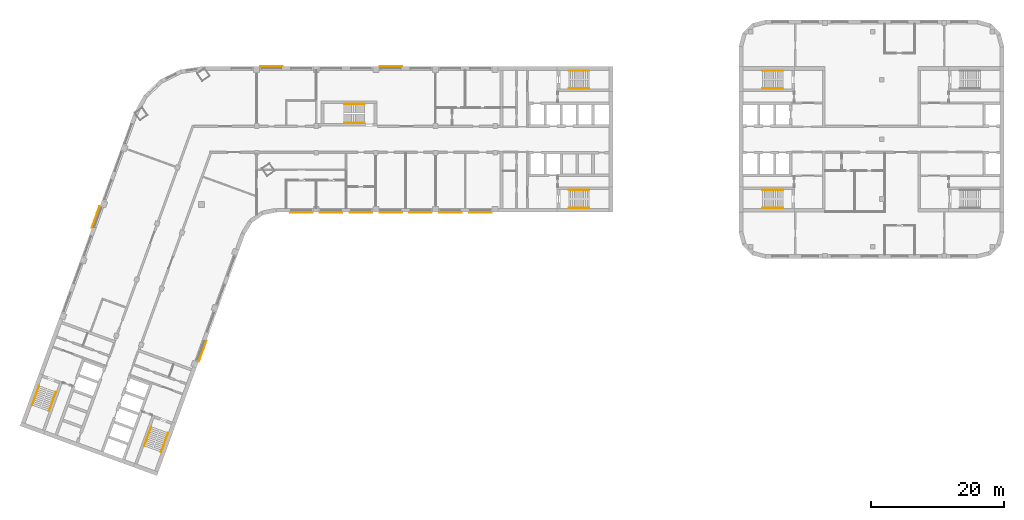
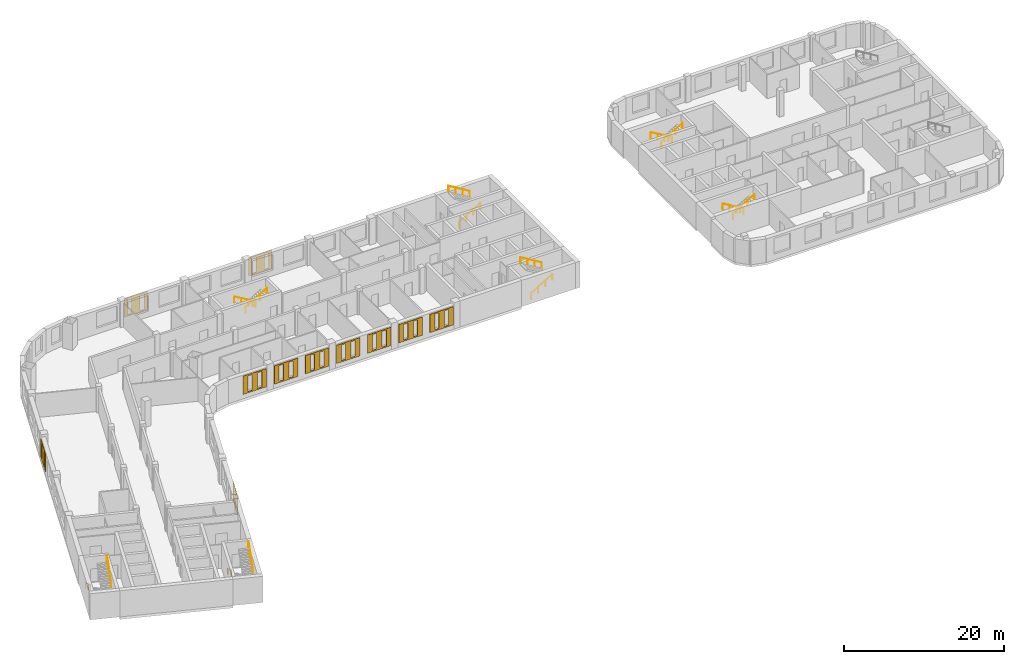
# One storey, part 11 of 12: 14 railings, 11 coverings.
"""IFC4 building model written with IfcOpenShell, lengths in metres."""

import ifcopenshell
import ifcopenshell.guid

model = None  # the IFC model being written
_history = None  # IfcOwnerHistory: only IFC2X3 demands one
_inside = {}  # id of a spatial element -> (the spatial element, [elements in it])
_under = {}  # id of a project, library or spatial element -> (it, [spatial elements below it])
_declared = {}  # id of a project -> (the project, [libraries it declares])
_typed = {}  # id of a type object -> (the type object, [elements of that type])
_made_of = {}  # id of a material, layer set ... -> (it, [elements and type objects made of it])


def new_model(schema):
    """Start an empty IFC model of exactly this schema.

    Asked for "IFC4X3", IfcOpenShell would pick the latest addendum, in which some entities
    have other attributes; the version numbers below select the first issue.
    IFC2X3 requires an IfcOwnerHistory on every rooted entity: one is made here for all.
    """
    global model, _history
    if schema == "IFC4X3":
        model = ifcopenshell.file(schema_version=(4, 3, 0, 0))
    else:
        model = ifcopenshell.file(schema=schema)
    _inside.clear()
    _under.clear()
    _declared.clear()
    _typed.clear()
    _made_of.clear()
    _history = None
    if model.schema == "IFC2X3":
        org = make("IfcOrganization", Name="unknown")
        user = make(
            "IfcPersonAndOrganization",
            ThePerson=make("IfcPerson", FamilyName="unknown"),
            TheOrganization=org,
        )
        app = make(
            "IfcApplication",
            ApplicationDeveloper=org,
            Version="unknown",
            ApplicationFullName="unknown",
            ApplicationIdentifier="unknown",
        )
        _history = make(
            "IfcOwnerHistory",
            OwningUser=user,
            OwningApplication=app,
            ChangeAction="ADDED",
            CreationDate=0,
        )
    return model


def make(cls, **values):
    """One entity of the class cls with the attributes given. An attribute that is None is left unset."""
    return model.create_entity(
        cls, **{name: value for name, value in values.items() if value is not None}
    )


def rooted(cls, **values):
    """An entity with a GlobalId (a new one), such as an element, a storey or a relation."""
    return make(cls, GlobalId=ifcopenshell.guid.new(), OwnerHistory=_history, **values)


def si_unit(unit_type, name, prefix=None):
    """IfcSIUnit, for example si_unit("LENGTHUNIT", "METRE", prefix="MILLI")."""
    return make("IfcSIUnit", UnitType=unit_type, Prefix=prefix, Name=name)


def assignment(units):
    """IfcUnitAssignment: the units of a project."""
    return None if units is None else make("IfcUnitAssignment", Units=units)


def point(xyz):
    """IfcCartesianPoint."""
    return None if xyz is None else make("IfcCartesianPoint", Coordinates=xyz)


def direction(xyz):
    """IfcDirection."""
    return None if xyz is None else make("IfcDirection", DirectionRatios=xyz)


def frame(location, z_axis=None, x_axis=None):
    """IfcAxis2Placement3D, a coordinate frame: its origin and axes. An axis left out is left unset."""
    return make(
        "IfcAxis2Placement3D",
        Location=point(location),
        Axis=direction(z_axis),
        RefDirection=direction(x_axis),
    )


def frame_2d(location, x_axis=None):
    """IfcAxis2Placement2D, a coordinate frame in the plane: its origin and x axis."""
    return make(
        "IfcAxis2Placement2D", Location=point(location), RefDirection=direction(x_axis)
    )


def origin():
    """The frame at (0, 0, 0) with its axes left unset."""
    return frame((0.0, 0.0, 0.0))


def origin_2d():
    """The frame at (0, 0) in the plane with its x axis left unset."""
    return frame_2d((0.0, 0.0))


def place(relative_to, where):
    """IfcLocalPlacement: puts the frame where relative to a parent placement (None: the world)."""
    return make(
        "IfcLocalPlacement", PlacementRelTo=relative_to, RelativePlacement=where
    )


def context(
    kind, dimensions, precision=None, world=None, true_north=None, identifier=None
):
    """IfcGeometricRepresentationContext, for example the 3D "Model" context."""
    return make(
        "IfcGeometricRepresentationContext",
        ContextIdentifier=identifier,
        ContextType=kind,
        CoordinateSpaceDimension=dimensions,
        Precision=precision,
        WorldCoordinateSystem=world,
        TrueNorth=true_north,
    )


def subcontext(parent, identifier, kind, view, scale=None):
    """IfcGeometricRepresentationSubContext, for example "Body" below "Model"."""
    return make(
        "IfcGeometricRepresentationSubContext",
        ContextIdentifier=identifier,
        ContextType=kind,
        ParentContext=parent,
        TargetScale=scale,
        TargetView=view,
    )


def project(units=None, contexts=None):
    """IfcProject with its units and contexts."""
    return rooted(
        "IfcProject",
        Name="project",
        RepresentationContexts=contexts,
        UnitsInContext=assignment(units),
    )


def spatial(cls, under=None, at=None, **own):
    """A site, building, storey or space (cls), placed at a placement, below another one or the project."""
    s = rooted(cls, ObjectPlacement=at, **own)
    if under is not None:
        _under.setdefault(under.id(), (under, []))[1].append(s)
    return s


def polyline(points):
    """IfcPolyline through the points."""
    return make("IfcPolyline", Points=[point(p) for p in points])


def profile(cls, at=None, kind="AREA", **sizes):
    """A parametric profile (cls). Its sizes go by their IFC names, for example OverallWidth=200.0."""
    return make(cls, ProfileType=kind, Position=at, **sizes)


def circle(**sizes):
    """IfcCircleProfileDef."""
    return profile("IfcCircleProfileDef", **sizes)


def outline(outer, holes=None, kind="AREA"):
    """IfcArbitraryClosedProfileDef: a profile drawn as a closed curve; with holes, ...WithVoids."""
    if holes is None:
        return make("IfcArbitraryClosedProfileDef", ProfileType=kind, OuterCurve=outer)
    return make(
        "IfcArbitraryProfileDefWithVoids",
        ProfileType=kind,
        OuterCurve=outer,
        InnerCurves=holes,
    )


def extrude(swept, where, along, depth):
    """IfcExtrudedAreaSolid: the profile swept, set in the frame where, extruded along a direction by depth."""
    return make(
        "IfcExtrudedAreaSolid",
        SweptArea=swept,
        Position=where,
        ExtrudedDirection=direction(along),
        Depth=depth,
    )


def shape(context_of_items, identifier, shape_type, items):
    """IfcShapeRepresentation: the items that make up one representation, for example the "Body"."""
    return make(
        "IfcShapeRepresentation",
        ContextOfItems=context_of_items,
        RepresentationIdentifier=identifier,
        RepresentationType=shape_type,
        Items=items,
    )


def material(Name=None, Category=None):
    """IfcMaterial."""
    return make("IfcMaterial", Name=Name, Category=Category)


def material_profile(
    of_material, cross_section, Name=None, Category=None, Priority=None
):
    """IfcMaterialProfile: a cross section and its material."""
    return make(
        "IfcMaterialProfile",
        Name=Name,
        Material=of_material,
        Profile=cross_section,
        Priority=Priority,
        Category=Category,
    )


def profile_set(profiles, Name=None, composite=None):
    """IfcMaterialProfileSet."""
    return make(
        "IfcMaterialProfileSet",
        Name=Name,
        MaterialProfiles=profiles,
        CompositeProfile=composite,
    )


def made_of(thing, what):
    """Note that an element or type object is made of a material, layer set ...; save() writes the relation."""
    if what is not None:
        _made_of.setdefault(what.id(), (what, []))[1].append(thing)
    return thing


def type_object(cls, material=None, **own):
    """A type object (cls), such as IfcWallType, which elements share."""
    return made_of(rooted(cls, **own), material)


def element(
    cls,
    number,
    at=None,
    inside=None,
    cuts=None,
    type_object=None,
    material=None,
    context=None,
    identifier="Body",
    shape_type=None,
    held_by="IfcProductDefinitionShape",
    body=None,
    shapes=None,
    **own,
):
    """One element of the class cls, such as IfcWall. Its Tag is "e" and its number.

    at: its placement. inside: the storey or other place that contains it. cuts: it is an
    opening in that element (IfcRelVoidsElement). A single representation is given by context,
    identifier, shape_type and body (its items); several are given by shapes. held_by: the class
    of the entity that holds the representations. save() writes the other relations.
    """
    e = rooted(cls, Tag="e%d" % number, ObjectPlacement=at, **own)
    if body is not None:
        shapes = [shape(context, identifier, shape_type, body)]
    if shapes is not None:
        e.Representation = make(held_by, Representations=shapes)
    if inside is not None:
        _inside.setdefault(inside.id(), (inside, []))[1].append(e)
    if cuts is not None:
        rooted(
            "IfcRelVoidsElement", RelatingBuildingElement=cuts, RelatedOpeningElement=e
        )
    if type_object is not None:
        _typed.setdefault(type_object.id(), (type_object, []))[1].append(e)
    return made_of(e, material)


def aggregate(whole, parts):
    """IfcRelAggregates: a whole, such as a stair, and the parts it consists of."""
    return rooted("IfcRelAggregates", RelatingObject=whole, RelatedObjects=parts)


def save(model, path):
    """Write the relations noted so far, then the file.

    IfcRelAggregates (storeys below a building ...), IfcRelContainedInSpatialStructure (elements
    in a storey), IfcRelDefinesByType, IfcRelAssociatesMaterial and IfcRelDeclares: one each for
    every whole, place, type object, material and project.
    """
    for whole, parts in _under.values():
        aggregate(whole, parts)
    for where, things in _inside.values():
        rooted(
            "IfcRelContainedInSpatialStructure",
            RelatedElements=things,
            RelatingStructure=where,
        )
    for kind, things in _typed.values():
        rooted("IfcRelDefinesByType", RelatedObjects=things, RelatingType=kind)
    for what, things in _made_of.values():
        rooted("IfcRelAssociatesMaterial", RelatedObjects=things, RelatingMaterial=what)
    for by, libraries in _declared.values():
        rooted("IfcRelDeclares", RelatingContext=by, RelatedDefinitions=libraries)
    model.write(path)


model = new_model("IFC4")

# Units and contexts
model_context = context("Model", 3, precision=1e-05, world=origin(), true_north=direction((0.0, 1.0)))
body_context = subcontext(model_context, "Body", "Model", "MODEL_VIEW")
ifc_project = project(units=[si_unit("LENGTHUNIT", "METRE"), si_unit("AREAUNIT", "SQUARE_METRE"), si_unit("VOLUMEUNIT", "CUBIC_METRE"), si_unit("PLANEANGLEUNIT", "RADIAN"), si_unit("MASSUNIT", "GRAM", prefix="KILO")], contexts=[model_context])

# Site, building, storey
site_placement = place(None, origin())
site = spatial("IfcSite", under=ifc_project, at=site_placement, CompositionType="ELEMENT")
building_placement = place(site_placement, origin())
building = spatial("IfcBuilding", under=site, at=building_placement, Name="Skarvind Civic Tower", CompositionType="ELEMENT")
storey_placement = place(building_placement, frame((0.0, 0.0, 71.5)))
storey = spatial("IfcBuildingStorey", under=building, at=storey_placement, Name="L16", CompositionType="ELEMENT", Elevation=71.5)

# Railings
ifc_material_1 = material(Name="Painted steel handrail", Category="steel")
railing_type = type_object("IfcRailingType", Name="Stair handrail 900", PredefinedType="HANDRAIL", material=ifc_material_1)
railing_1_placement = place(storey_placement, frame((101.35009765625, 135.64990234375, 0.166748046875)))
element("IfcRailing", 1, at=railing_1_placement, inside=storey, type_object=railing_type, Name="Stair handrail", PredefinedType="HANDRAIL", context=body_context, shape_type="SweptSolid", body=[
    extrude(circle(Radius=0.02392578125, at=origin_2d()), frame((0.0, 0.0, 0.8759765625), z_axis=(0.859290745958, 0.0, 0.51148745235), x_axis=(0.0, 1.0, 0.0)), (0.0, 0.0, 1.0), 3.584228515625),
    extrude(circle(Radius=0.02099609375, at=origin_2d()), origin(), (0.0, 0.0, 1.0), 0.851806640625),
    extrude(circle(Radius=0.02099609375, at=origin_2d()), frame((1.026611328125, 0.0, 0.611083984375)), (0.0, 0.0, 1.0), 0.851806640625),
    extrude(circle(Radius=0.02099609375, at=origin_2d()), frame((2.05322265625, 0.0, 1.22216796875)), (0.0, 0.0, 1.0), 0.851806640625),
    extrude(circle(Radius=0.02099609375, at=origin_2d()), frame((3.079833984375, 0.0, 1.833251953125)), (0.0, 0.0, 1.0), 0.851806640625),
])
railing_2_placement = place(storey_placement, frame((104.429931640625, 138.35009765625, 2.166748046875)))
element("IfcRailing", 2, at=railing_2_placement, inside=storey, type_object=railing_type, Name="Stair handrail", PredefinedType="HANDRAIL", context=body_context, shape_type="SweptSolid", body=[
    extrude(circle(Radius=0.02392578125, at=origin_2d()), frame((0.0, 0.0, 0.8759765625), z_axis=(-0.859290745958, 0.0, 0.51148745235), x_axis=(0.0, -1.0, 0.0)), (0.0, 0.0, 1.0), 3.584228515625),
    extrude(circle(Radius=0.02099609375, at=origin_2d()), origin(), (0.0, 0.0, 1.0), 0.851806640625),
    extrude(circle(Radius=0.02099609375, at=origin_2d()), frame((-1.026611328125, 0.0, 0.611083984375)), (0.0, 0.0, 1.0), 0.851806640625),
    extrude(circle(Radius=0.02099609375, at=origin_2d()), frame((-2.05322265625, 0.0, 1.22216796875)), (0.0, 0.0, 1.0), 0.851806640625),
    extrude(circle(Radius=0.02099609375, at=origin_2d()), frame((-3.079833984375, 0.0, 1.833251953125)), (0.0, 0.0, 1.0), 0.851806640625),
])
railing_3_placement = place(storey_placement, frame((101.35009765625, 117.64990234375, 0.166748046875)))
element("IfcRailing", 3, at=railing_3_placement, inside=storey, type_object=railing_type, Name="Stair handrail", PredefinedType="HANDRAIL", context=body_context, shape_type="SweptSolid", body=[
    extrude(circle(Radius=0.02392578125, at=origin_2d()), frame((0.0, 0.0, 0.8759765625), z_axis=(0.859290745958, 0.0, 0.51148745235), x_axis=(0.0, 1.0, 0.0)), (0.0, 0.0, 1.0), 3.584228515625),
    extrude(circle(Radius=0.02099609375, at=origin_2d()), origin(), (0.0, 0.0, 1.0), 0.851806640625),
    extrude(circle(Radius=0.02099609375, at=origin_2d()), frame((1.026611328125, 0.0, 0.611083984375)), (0.0, 0.0, 1.0), 0.851806640625),
    extrude(circle(Radius=0.02099609375, at=origin_2d()), frame((2.05322265625, 0.0, 1.22216796875)), (0.0, 0.0, 1.0), 0.851806640625),
    extrude(circle(Radius=0.02099609375, at=origin_2d()), frame((3.079833984375, 0.0, 1.833251953125)), (0.0, 0.0, 1.0), 0.851806640625),
])
railing_4_placement = place(storey_placement, frame((104.429931640625, 120.35009765625, 2.166748046875)))
element("IfcRailing", 4, at=railing_4_placement, inside=storey, type_object=railing_type, Name="Stair handrail", PredefinedType="HANDRAIL", context=body_context, shape_type="SweptSolid", body=[
    extrude(circle(Radius=0.02392578125, at=origin_2d()), frame((0.0, 0.0, 0.8759765625), z_axis=(-0.859290745958, 0.0, 0.51148745235), x_axis=(0.0, -1.0, 0.0)), (0.0, 0.0, 1.0), 3.584228515625),
    extrude(circle(Radius=0.02099609375, at=origin_2d()), origin(), (0.0, 0.0, 1.0), 0.851806640625),
    extrude(circle(Radius=0.02099609375, at=origin_2d()), frame((-1.026611328125, 0.0, 0.611083984375)), (0.0, 0.0, 1.0), 0.851806640625),
    extrude(circle(Radius=0.02099609375, at=origin_2d()), frame((-2.05322265625, 0.0, 1.22216796875)), (0.0, 0.0, 1.0), 0.851806640625),
    extrude(circle(Radius=0.02099609375, at=origin_2d()), frame((-3.079833984375, 0.0, 1.833251953125)), (0.0, 0.0, 1.0), 0.851806640625),
])
railing_5_placement = place(storey_placement, frame((38.362060546875, 84.64794921875, 0.166748046875)))
element("IfcRailing", 5, at=railing_5_placement, inside=storey, type_object=railing_type, Name="Stair handrail", PredefinedType="HANDRAIL", context=body_context, shape_type="SweptSolid", body=[
    extrude(circle(Radius=0.02392578125, at=origin_2d()), frame((0.0, 0.0, 0.8759765625), z_axis=(-0.293908055923, -0.807480881337, 0.511461319103), x_axis=(0.939689235759, -0.342029443467, 0.0)), (0.0, 0.0, 1.0), 3.584228515625),
    extrude(circle(Radius=0.02099609375, at=origin_2d()), origin(), (0.0, 0.0, 1.0), 0.851806640625),
    extrude(circle(Radius=0.02099609375, at=origin_2d()), frame((-0.35107421875, -0.96484375, 0.611083984375)), (0.0, 0.0, 1.0), 0.851806640625),
    extrude(circle(Radius=0.02099609375, at=origin_2d()), frame((-0.702392578125, -1.929443359375, 1.22216796875)), (0.0, 0.0, 1.0), 0.851806640625),
    extrude(circle(Radius=0.02099609375, at=origin_2d()), frame((-1.053466796875, -2.894287109375, 1.833251953125)), (0.0, 0.0, 1.0), 0.851806640625),
])
railing_6_placement = place(storey_placement, frame((39.845703125, 80.830078125, 2.166748046875)))
element("IfcRailing", 6, at=railing_6_placement, inside=storey, type_object=railing_type, Name="Stair handrail", PredefinedType="HANDRAIL", context=body_context, shape_type="SweptSolid", body=[
    extrude(circle(Radius=0.02392578125, at=origin_2d()), frame((0.0, 0.0, 0.8759765625), z_axis=(0.293908055923, 0.807480881337, 0.511461319103), x_axis=(-0.939689235759, 0.342029443467, 0.0)), (0.0, 0.0, 1.0), 3.584228515625),
    extrude(circle(Radius=0.02099609375, at=origin_2d()), origin(), (0.0, 0.0, 1.0), 0.851806640625),
    extrude(circle(Radius=0.02099609375, at=origin_2d()), frame((0.35107421875, 0.96484375, 0.611083984375)), (0.0, 0.0, 1.0), 0.851806640625),
    extrude(circle(Radius=0.02099609375, at=origin_2d()), frame((0.702392578125, 1.929443359375, 1.22216796875)), (0.0, 0.0, 1.0), 0.851806640625),
    extrude(circle(Radius=0.02099609375, at=origin_2d()), frame((1.053466796875, 2.894287109375, 1.833251953125)), (0.0, 0.0, 1.0), 0.851806640625),
])
railing_7_placement = place(storey_placement, frame((21.447509765625, 90.80419921875, 0.166748046875)))
element("IfcRailing", 7, at=railing_7_placement, inside=storey, type_object=railing_type, Name="Stair handrail", PredefinedType="HANDRAIL", context=body_context, shape_type="SweptSolid", body=[
    extrude(circle(Radius=0.02392578125, at=origin_2d()), frame((0.0, 0.0, 0.8759765625), z_axis=(-0.293845824691, -0.807497044902, 0.511471557163), x_axis=(0.939714709796, -0.34195944817, 0.0)), (0.0, 0.0, 1.0), 3.584228515625),
    extrude(circle(Radius=0.02099609375, at=origin_2d()), origin(), (0.0, 0.0, 1.0), 0.851806640625),
    extrude(circle(Radius=0.02099609375, at=origin_2d()), frame((-0.35107421875, -0.96484375, 0.611083984375)), (0.0, 0.0, 1.0), 0.851806640625),
    extrude(circle(Radius=0.02099609375, at=origin_2d()), frame((-0.7021484375, -1.929443359375, 1.22216796875)), (0.0, 0.0, 1.0), 0.851806640625),
    extrude(circle(Radius=0.02099609375, at=origin_2d()), frame((-1.05322265625, -2.894287109375, 1.833251953125)), (0.0, 0.0, 1.0), 0.851806640625),
])
railing_8_placement = place(storey_placement, frame((22.931396484375, 86.986572265625, 2.166748046875)))
element("IfcRailing", 8, at=railing_8_placement, inside=storey, type_object=railing_type, Name="Stair handrail", PredefinedType="HANDRAIL", context=body_context, shape_type="SweptSolid", body=[
    extrude(circle(Radius=0.02392578125, at=origin_2d()), frame((0.0, 0.0, 0.8759765625), z_axis=(0.293908055923, 0.807480881337, 0.511461319103), x_axis=(-0.939689235759, 0.342029443467, 0.0)), (0.0, 0.0, 1.0), 3.584228515625),
    extrude(circle(Radius=0.02099609375, at=origin_2d()), origin(), (0.0, 0.0, 1.0), 0.851806640625),
    extrude(circle(Radius=0.02099609375, at=origin_2d()), frame((0.35107421875, 0.96484375, 0.611083984375)), (0.0, 0.0, 1.0), 0.851806640625),
    extrude(circle(Radius=0.02099609375, at=origin_2d()), frame((0.702392578125, 1.929443359375, 1.22216796875)), (0.0, 0.0, 1.0), 0.851806640625),
    extrude(circle(Radius=0.02099609375, at=origin_2d()), frame((1.053466796875, 2.894287109375, 1.833251953125)), (0.0, 0.0, 1.0), 0.851806640625),
])
railing_9_placement = place(storey_placement, frame((133.64990234375, 120.35009765625, 0.166748046875)))
element("IfcRailing", 9, at=railing_9_placement, inside=storey, type_object=railing_type, Name="Stair handrail", PredefinedType="HANDRAIL", context=body_context, shape_type="SweptSolid", body=[
    extrude(circle(Radius=0.02392578125, at=origin_2d()), frame((0.0, 0.0, 0.8759765625), z_axis=(-0.859290745958, 0.0, 0.51148745235), x_axis=(0.0, -1.0, 0.0)), (0.0, 0.0, 1.0), 3.584228515625),
    extrude(circle(Radius=0.02099609375, at=origin_2d()), origin(), (0.0, 0.0, 1.0), 0.851806640625),
    extrude(circle(Radius=0.02099609375, at=origin_2d()), frame((-1.026611328125, 0.0, 0.611083984375)), (0.0, 0.0, 1.0), 0.851806640625),
    extrude(circle(Radius=0.02099609375, at=origin_2d()), frame((-2.05322265625, 0.0, 1.22216796875)), (0.0, 0.0, 1.0), 0.851806640625),
    extrude(circle(Radius=0.02099609375, at=origin_2d()), frame((-3.079833984375, 0.0, 1.833251953125)), (0.0, 0.0, 1.0), 0.851806640625),
])
railing_10_placement = place(storey_placement, frame((130.570068359375, 117.64990234375, 2.166748046875)))
element("IfcRailing", 10, at=railing_10_placement, inside=storey, type_object=railing_type, Name="Stair handrail", PredefinedType="HANDRAIL", context=body_context, shape_type="SweptSolid", body=[
    extrude(circle(Radius=0.02392578125, at=origin_2d()), frame((0.0, 0.0, 0.8759765625), z_axis=(0.859290745958, 0.0, 0.51148745235), x_axis=(0.0, 1.0, 0.0)), (0.0, 0.0, 1.0), 3.584228515625),
    extrude(circle(Radius=0.02099609375, at=origin_2d()), origin(), (0.0, 0.0, 1.0), 0.851806640625),
    extrude(circle(Radius=0.02099609375, at=origin_2d()), frame((1.026611328125, 0.0, 0.611083984375)), (0.0, 0.0, 1.0), 0.851806640625),
    extrude(circle(Radius=0.02099609375, at=origin_2d()), frame((2.05322265625, 0.0, 1.22216796875)), (0.0, 0.0, 1.0), 0.851806640625),
    extrude(circle(Radius=0.02099609375, at=origin_2d()), frame((3.079833984375, 0.0, 1.833251953125)), (0.0, 0.0, 1.0), 0.851806640625),
])
railing_11_placement = place(storey_placement, frame((133.64990234375, 138.35009765625, 0.166748046875)))
element("IfcRailing", 11, at=railing_11_placement, inside=storey, type_object=railing_type, Name="Stair handrail", PredefinedType="HANDRAIL", context=body_context, shape_type="SweptSolid", body=[
    extrude(circle(Radius=0.02392578125, at=origin_2d()), frame((0.0, 0.0, 0.8759765625), z_axis=(-0.859290745958, 0.0, 0.51148745235), x_axis=(0.0, -1.0, 0.0)), (0.0, 0.0, 1.0), 3.584228515625),
    extrude(circle(Radius=0.02099609375, at=origin_2d()), origin(), (0.0, 0.0, 1.0), 0.851806640625),
    extrude(circle(Radius=0.02099609375, at=origin_2d()), frame((-1.026611328125, 0.0, 0.611083984375)), (0.0, 0.0, 1.0), 0.851806640625),
    extrude(circle(Radius=0.02099609375, at=origin_2d()), frame((-2.05322265625, 0.0, 1.22216796875)), (0.0, 0.0, 1.0), 0.851806640625),
    extrude(circle(Radius=0.02099609375, at=origin_2d()), frame((-3.079833984375, 0.0, 1.833251953125)), (0.0, 0.0, 1.0), 0.851806640625),
])
railing_12_placement = place(storey_placement, frame((130.570068359375, 135.64990234375, 2.166748046875)))
element("IfcRailing", 12, at=railing_12_placement, inside=storey, type_object=railing_type, Name="Stair handrail", PredefinedType="HANDRAIL", context=body_context, shape_type="SweptSolid", body=[
    extrude(circle(Radius=0.02392578125, at=origin_2d()), frame((0.0, 0.0, 0.8759765625), z_axis=(0.859290745958, 0.0, 0.51148745235), x_axis=(0.0, 1.0, 0.0)), (0.0, 0.0, 1.0), 3.584228515625),
    extrude(circle(Radius=0.02099609375, at=origin_2d()), origin(), (0.0, 0.0, 1.0), 0.851806640625),
    extrude(circle(Radius=0.02099609375, at=origin_2d()), frame((1.026611328125, 0.0, 0.611083984375)), (0.0, 0.0, 1.0), 0.851806640625),
    extrude(circle(Radius=0.02099609375, at=origin_2d()), frame((2.05322265625, 0.0, 1.22216796875)), (0.0, 0.0, 1.0), 0.851806640625),
    extrude(circle(Radius=0.02099609375, at=origin_2d()), frame((3.079833984375, 0.0, 1.833251953125)), (0.0, 0.0, 1.0), 0.851806640625),
])
railing_13_placement = place(storey_placement, frame((70.550048828125, 133.35009765625, 0.166748046875)))
element("IfcRailing", 13, at=railing_13_placement, inside=storey, type_object=railing_type, Name="Stair handrail", PredefinedType="HANDRAIL", context=body_context, shape_type="SweptSolid", body=[
    extrude(circle(Radius=0.02392578125, at=origin_2d()), frame((0.0, 0.0, 0.8759765625), z_axis=(-0.859308565015, 0.0, 0.511457515432), x_axis=(0.0, -1.0, 0.0)), (0.0, 0.0, 1.0), 3.58447265625),
    extrude(circle(Radius=0.02099609375, at=origin_2d()), origin(), (0.0, 0.0, 1.0), 0.851806640625),
    extrude(circle(Radius=0.02099609375, at=origin_2d()), frame((-1.026611328125, 0.0, 0.611083984375)), (0.0, 0.0, 1.0), 0.851806640625),
    extrude(circle(Radius=0.02099609375, at=origin_2d()), frame((-2.053466796875, 0.0, 1.22216796875)), (0.0, 0.0, 1.0), 0.851806640625),
    extrude(circle(Radius=0.02099609375, at=origin_2d()), frame((-3.080078125, 0.0, 1.833251953125)), (0.0, 0.0, 1.0), 0.851806640625),
])
railing_14_placement = place(storey_placement, frame((67.469970703125, 130.449951171875, 2.166748046875)))
element("IfcRailing", 14, at=railing_14_placement, inside=storey, type_object=railing_type, Name="Stair handrail", PredefinedType="HANDRAIL", context=body_context, shape_type="SweptSolid", body=[
    extrude(circle(Radius=0.02392578125, at=origin_2d()), frame((0.0, 0.0, 0.8759765625), z_axis=(0.859308565015, 0.0, 0.511457515432), x_axis=(0.0, 1.0, 0.0)), (0.0, 0.0, 1.0), 3.58447265625),
    extrude(circle(Radius=0.02099609375, at=origin_2d()), origin(), (0.0, 0.0, 1.0), 0.851806640625),
    extrude(circle(Radius=0.02099609375, at=origin_2d()), frame((1.026611328125, 0.0, 0.611083984375)), (0.0, 0.0, 1.0), 0.851806640625),
    extrude(circle(Radius=0.02099609375, at=origin_2d()), frame((2.053466796875, 0.0, 1.22216796875)), (0.0, 0.0, 1.0), 0.851806640625),
    extrude(circle(Radius=0.02099609375, at=origin_2d()), frame((3.080078125, 0.0, 1.833251953125)), (0.0, 0.0, 1.0), 0.851806640625),
])

# Coverings
ifc_material_2 = material(Name="Terracotta", Category="masonry")
ifc_material_profile_1 = material_profile(ifc_material_2, outline(polyline([(-1.699951171875, -1.39990234375), (1.699951171875, -1.39990234375), (1.699951171875, 1.39990234375), (-1.699951171875, 1.39990234375), (-1.699951171875, -1.39990234375)]), holes=[polyline([(-1.0, -1.18994140625), (-0.39990234375, -1.18994140625), (-0.39990234375, 1.18994140625), (-1.0, 1.18994140625), (-1.0, -1.18994140625)]), polyline([(0.39990234375, -1.18994140625), (1.0, -1.18994140625), (1.0, 1.18994140625), (0.39990234375, 1.18994140625), (0.39990234375, -1.18994140625)])]), Name="TERRACOTTA SCREEN 3400 x 2800, SLIT PITCH 1400")
ifc_profile_set_1 = profile_set([ifc_material_profile_1], Name="Terracotta")
covering_type_1 = type_object("IfcCoveringType", Name="TERRACOTTA SCREEN 3400 x 2800, SLIT PITCH 1400", PredefinedType="CLADDING", material=ifc_profile_set_1)
for number, where, z_axis, x_axis, name in (
    (15, (88.0, 117.0, 2.10009765625), (0.0, -1.0, 0.0), (1.0, 0.0, 0.0), "TERRACOTTA SCREEN"),
    (16, (83.5, 117.0, 2.10009765625), (0.0, -1.0, 0.0), (1.0, 0.0, 0.0), "TERRACOTTA SCREEN"),
    (17, (79.0, 117.0, 2.10009765625), (0.0, -1.0, 0.0), (1.0, 0.0, 0.0), "TERRACOTTA SCREEN"),
    (18, (74.5, 117.0, 2.10009765625), (0.0, -1.0, 0.0), (1.0, 0.0, 0.0), "TERRACOTTA SCREEN"),
    (19, (70.0, 117.0, 2.10009765625), (0.0, -1.0, 0.0), (1.0, 0.0, 0.0), "TERRACOTTA SCREEN"),
    (20, (65.5, 117.0, 2.10009765625), (0.0, -1.0, 0.0), (1.0, 0.0, 0.0), "TERRACOTTA SCREEN"),
    (21, (61.0, 117.0, 2.10009765625), (0.0, -1.0, 0.0), (1.0, 0.0, 0.0), "TERRACOTTA SCREEN"),
):
    element("IfcCovering", number, at=place(storey_placement, frame(where, z_axis=z_axis, x_axis=x_axis)), inside=storey, type_object=covering_type_1, Name=name, PredefinedType="CLADDING", context=body_context, shape_type="SweptSolid", body=[
        extrude(outline(polyline([(-1.699951171875, -1.39990234375), (1.699951171875, -1.39990234375), (1.699951171875, 1.39990234375), (-1.699951171875, 1.39990234375), (-1.699951171875, -1.39990234375)]), holes=[polyline([(-1.0, -1.18994140625), (-0.39990234375, -1.18994140625), (-0.39990234375, 1.18994140625), (-1.0, 1.18994140625), (-1.0, -1.18994140625)]), polyline([(0.39990234375, -1.18994140625), (1.0, -1.18994140625), (1.0, 1.18994140625), (0.39990234375, 1.18994140625), (0.39990234375, -1.18994140625)])]), origin(), (0.0, 0.0, 1.0), 0.06005859375),
    ])
ifc_material_profile_2 = material_profile(ifc_material_2, outline(polyline([(-1.699951171875, -1.39990234375), (1.699951171875, -1.39990234375), (1.699951171875, 1.39990234375), (-1.699951171875, 1.39990234375), (-1.699951171875, -1.39990234375)]), holes=[polyline([(-1.199951171875, -1.18994140625), (-0.60009765625, -1.18994140625), (-0.60009765625, 1.18994140625), (-1.199951171875, 1.18994140625), (-1.199951171875, -1.18994140625)]), polyline([(0.60009765625, -1.18994140625), (1.199951171875, -1.18994140625), (1.199951171875, 1.18994140625), (0.60009765625, 1.18994140625), (0.60009765625, -1.18994140625)])]), Name="TERRACOTTA SCREEN 3400 x 2800, SLIT PITCH 1800")
ifc_profile_set_2 = profile_set([ifc_material_profile_2], Name="Terracotta")
covering_type_2 = type_object("IfcCoveringType", Name="TERRACOTTA SCREEN 3400 x 2800, SLIT PITCH 1800", PredefinedType="CLADDING", material=ifc_profile_set_2)
for number, where, z_axis, x_axis, name in (
    (22, (46.075927734375, 96.047119140625, 2.10009765625), (0.939793423488, -0.341743063087, 0.0), (0.341743063087, 0.939793423488, 0.0), "TERRACOTTA SCREEN"),
    (23, (56.5, 139.0, 2.10009765625), (0.0, 1.0, 0.0), (-1.0, 0.0, 0.0), "TERRACOTTA SCREEN"),
    (24, (74.5, 139.0, 2.10009765625), (0.0, 1.0, 0.0), (-1.0, 0.0, 0.0), "TERRACOTTA SCREEN"),
    (25, (30.02001953125, 116.25732421875, 2.10009765625), (-0.939793423488, 0.341743063087, 0.0), (-0.341743063087, -0.939793423488, 0.0), "TERRACOTTA SCREEN"),
):
    element("IfcCovering", number, at=place(storey_placement, frame(where, z_axis=z_axis, x_axis=x_axis)), inside=storey, type_object=covering_type_2, Name=name, PredefinedType="CLADDING", context=body_context, shape_type="SweptSolid", body=[
        extrude(outline(polyline([(-1.699951171875, -1.39990234375), (1.699951171875, -1.39990234375), (1.699951171875, 1.39990234375), (-1.699951171875, 1.39990234375), (-1.699951171875, -1.39990234375)]), holes=[polyline([(-1.199951171875, -1.18994140625), (-0.60009765625, -1.18994140625), (-0.60009765625, 1.18994140625), (-1.199951171875, 1.18994140625), (-1.199951171875, -1.18994140625)]), polyline([(0.60009765625, -1.18994140625), (1.199951171875, -1.18994140625), (1.199951171875, 1.18994140625), (0.60009765625, 1.18994140625), (0.60009765625, -1.18994140625)])]), origin(), (0.0, 0.0, 1.0), 0.06005859375),
    ])

save(model, "model.ifc")
